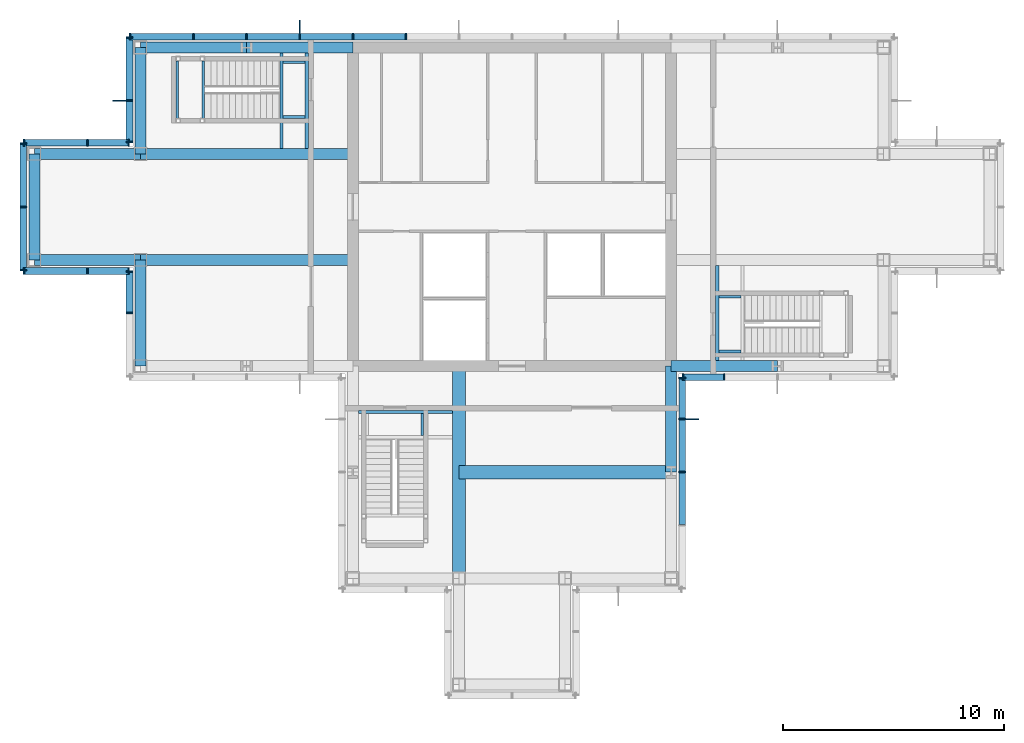
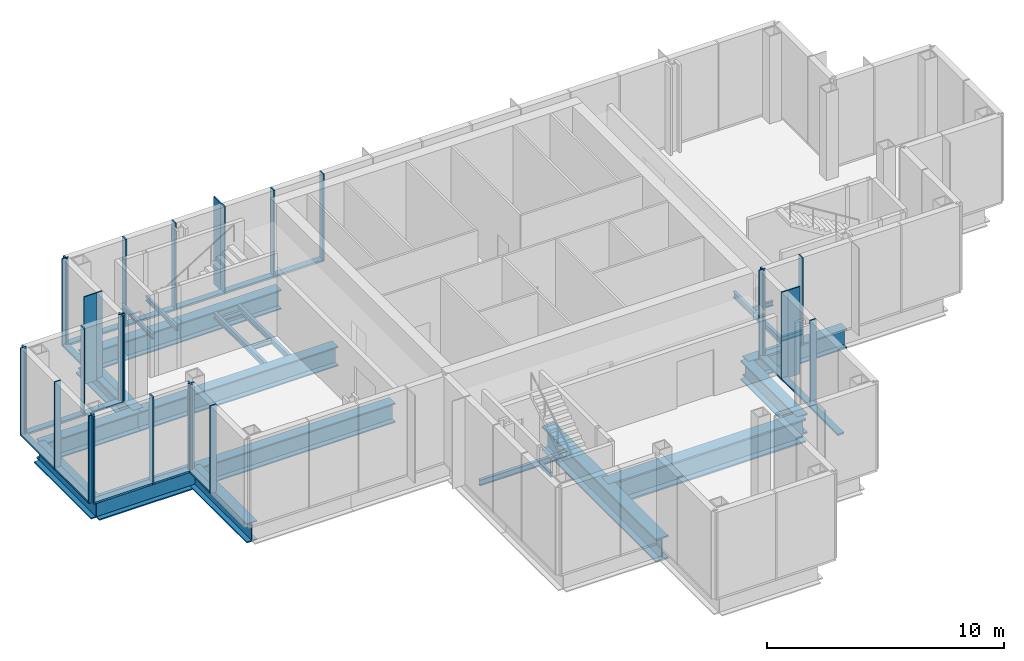
# One storey, part 6 of 12: 46 members, 24 beams, 8 elements without a shape of their own.
"""IFC4 building model written with IfcOpenShell, lengths in metres."""

from ifc_helpers import new_model, si_unit, direction, frame, origin, origin_2d, place, context, subcontext, project, spatial, rectangle, i_section, extrude, material, material_profile, profile_set, type_object, element, aggregate, save


model = new_model("IFC4")

# Units and contexts
model_context = context("Model", 3, precision=1e-05, world=origin(), true_north=direction((0.0, 1.0)))
body_context = subcontext(model_context, "Body", "Model", "MODEL_VIEW")
ifc_project = project(units=[si_unit("LENGTHUNIT", "METRE"), si_unit("AREAUNIT", "SQUARE_METRE"), si_unit("VOLUMEUNIT", "CUBIC_METRE"), si_unit("PLANEANGLEUNIT", "RADIAN"), si_unit("MASSUNIT", "GRAM", prefix="KILO")], contexts=[model_context])

# Site, building, storey
site_placement = place(None, origin())
site = spatial("IfcSite", under=ifc_project, at=site_placement, CompositionType="ELEMENT")
building_placement = place(site_placement, origin())
building = spatial("IfcBuilding", under=site, at=building_placement, Name="Kvirike Care Tower", CompositionType="ELEMENT")
storey_placement = place(building_placement, frame((0.0, 0.0, 243.5)))
storey = spatial("IfcBuildingStorey", under=building, at=storey_placement, Name="L67", CompositionType="ELEMENT", Elevation=243.5)

# Curtain wall, member
ifc_material_1 = material(Name="Anodised aluminium stick system", Category="aluminium")
curtain_wall_type = type_object("IfcCurtainWallType", Name="CW-L LOUVRED PLANT SCREEN", PredefinedType="NOTDEFINED", material=ifc_material_1)
curtain_wall_1_placement = place(storey_placement, origin())
curtain_wall_1 = element("IfcCurtainWall", 1, at=curtain_wall_1_placement, inside=storey, type_object=curtain_wall_type, Name="Curtain wall L67 face 7", PredefinedType="NOTDEFINED")
ifc_material_2 = material(Name="Bronze anodised aluminium fin", Category="aluminium")
ifc_material_profile_1 = material_profile(ifc_material_2, rectangle(XDim=0.050048828125, YDim=0.60009765625, at=origin_2d()), Name="BRONZE FIN 600")
ifc_profile_set_1 = profile_set([ifc_material_profile_1], Name="Bronze anodised aluminium fin")
member_type_1 = type_object("IfcMemberType", Name="BRONZE FIN 600", PredefinedType="USERDEFINED", material=ifc_profile_set_1)
member_1_placement = place(storey_placement, frame((12.0, 44.14990234375, 0.0), z_axis=(0.0, 0.0, 1.0), x_axis=(-1.0, 0.0, 0.0)))
member_1 = element("IfcMember", 2, at=member_1_placement, type_object=member_type_1, Name="Bronze fin L67 face 7.12", ObjectType="FIN", PredefinedType="USERDEFINED", context=body_context, shape_type="SweptSolid", body=[
    extrude(rectangle(XDim=0.050048828125, YDim=0.60009765625, at=origin_2d()), origin(), (0.0, 0.0, 1.0), 4.5),
])

curtain_wall_2_placement = place(storey_placement, origin())
curtain_wall_2 = element("IfcCurtainWall", 3, at=curtain_wall_2_placement, inside=storey, type_object=curtain_wall_type, Name="Curtain wall L67 face 8", PredefinedType="NOTDEFINED")
member_2_placement = place(storey_placement, frame((3.85009765625, 40.800048828125, 0.0), z_axis=(0.0, 0.0, 1.0), x_axis=(0.0, -1.0, 0.0)))
member_2 = element("IfcMember", 4, at=member_2_placement, type_object=member_type_1, Name="Bronze fin L67 face 8.2", ObjectType="FIN", PredefinedType="USERDEFINED", context=body_context, shape_type="SweptSolid", body=[
    extrude(rectangle(XDim=0.050048828125, YDim=0.60009765625, at=origin_2d()), origin(), (0.0, 0.0, 1.0), 4.5),
])

curtain_wall_3_placement = place(storey_placement, origin())
curtain_wall_3 = element("IfcCurtainWall", 5, at=curtain_wall_3_placement, inside=storey, type_object=curtain_wall_type, Name="Curtain wall L67 face 20", PredefinedType="NOTDEFINED")
member_3_placement = place(storey_placement, frame((29.75, 26.39990234375, 0.0), z_axis=(0.0, 0.0, 1.0), x_axis=(0.0, 1.0, 0.0)))
member_3 = element("IfcMember", 6, at=member_3_placement, type_object=member_type_1, Name="Bronze fin L67 face 20.4", ObjectType="FIN", PredefinedType="USERDEFINED", context=body_context, shape_type="SweptSolid", body=[
    extrude(rectangle(XDim=0.050048828125, YDim=0.60009765625, at=origin_2d()), origin(), (0.0, 0.0, 1.0), 4.5),
])

# Curtain wall, members
curtain_wall_4_placement = place(storey_placement, origin())
curtain_wall_4 = element("IfcCurtainWall", 7, at=curtain_wall_4_placement, inside=storey, type_object=curtain_wall_type, Name="Curtain wall L67 face 1", PredefinedType="NOTDEFINED")
ifc_material_3 = material(Name="Bronze anodised aluminium mullion", Category="aluminium")
ifc_material_profile_2 = material_profile(ifc_material_3, rectangle(XDim=0.06494140625, YDim=0.300048828125, at=origin_2d()), Name="CW-L MULLION 65x300")
ifc_profile_set_2 = profile_set([ifc_material_profile_2], Name="Bronze anodised aluminium mullion")
member_type_2 = type_object("IfcMemberType", Name="CW-L MULLION 65x300", PredefinedType="MULLION", material=ifc_profile_set_2)
member_4_placement = place(storey_placement, frame((29.33251953125, 28.300048828125, 0.0), z_axis=(0.0, 0.0, 1.0), x_axis=(1.0, 0.0, 0.0)))
member_4 = element("IfcMember", 8, at=member_4_placement, type_object=member_type_2, Name="CW-L mullion L67 face 1.1", PredefinedType="MULLION", context=body_context, shape_type="SweptSolid", body=[
    extrude(rectangle(XDim=0.06494140625, YDim=0.300048828125, at=origin_2d()), origin(), (0.0, 0.0, 1.0), 4.5),
])
member_5_placement = place(storey_placement, frame((31.199951171875, 28.300048828125, 0.0), z_axis=(0.0, 0.0, 1.0), x_axis=(1.0, 0.0, 0.0)))
member_5 = element("IfcMember", 9, at=member_5_placement, type_object=member_type_2, Name="CW-L mullion L67 face 1.2", PredefinedType="MULLION", context=body_context, shape_type="SweptSolid", body=[
    extrude(rectangle(XDim=0.06494140625, YDim=0.300048828125, at=origin_2d()), origin(), (0.0, 0.0, 1.0), 4.5),
])

# Member
member_6_placement = place(storey_placement, frame((16.800048828125, 43.699951171875, 0.0), z_axis=(0.0, 0.0, 1.0), x_axis=(-1.0, 0.0, 0.0)))
member_6 = element("IfcMember", 10, at=member_6_placement, type_object=member_type_2, Name="CW-L mullion L67 face 7.10", PredefinedType="MULLION", context=body_context, shape_type="SweptSolid", body=[
    extrude(rectangle(XDim=0.06494140625, YDim=0.300048828125, at=origin_2d()), origin(), (0.0, 0.0, 1.0), 4.5),
])

member_7_placement = place(storey_placement, frame((14.39990234375, 43.699951171875, 0.0), z_axis=(0.0, 0.0, 1.0), x_axis=(-1.0, 0.0, 0.0)))
member_7 = element("IfcMember", 11, at=member_7_placement, type_object=member_type_2, Name="CW-L mullion L67 face 7.11", PredefinedType="MULLION", context=body_context, shape_type="SweptSolid", body=[
    extrude(rectangle(XDim=0.06494140625, YDim=0.300048828125, at=origin_2d()), origin(), (0.0, 0.0, 1.0), 4.5),
])

member_8_placement = place(storey_placement, frame((12.0, 43.699951171875, 0.0), z_axis=(0.0, 0.0, 1.0), x_axis=(-1.0, 0.0, 0.0)))
member_8 = element("IfcMember", 12, at=member_8_placement, type_object=member_type_2, Name="CW-L mullion L67 face 7.12", PredefinedType="MULLION", context=body_context, shape_type="SweptSolid", body=[
    extrude(rectangle(XDim=0.06494140625, YDim=0.300048828125, at=origin_2d()), origin(), (0.0, 0.0, 1.0), 4.5),
])

member_9_placement = place(storey_placement, frame((9.60009765625, 43.699951171875, 0.0), z_axis=(0.0, 0.0, 1.0), x_axis=(-1.0, 0.0, 0.0)))
member_9 = element("IfcMember", 13, at=member_9_placement, type_object=member_type_2, Name="CW-L mullion L67 face 7.13", PredefinedType="MULLION", context=body_context, shape_type="SweptSolid", body=[
    extrude(rectangle(XDim=0.06494140625, YDim=0.300048828125, at=origin_2d()), origin(), (0.0, 0.0, 1.0), 4.5),
])

member_10_placement = place(storey_placement, frame((7.199951171875, 43.699951171875, 0.0), z_axis=(0.0, 0.0, 1.0), x_axis=(-1.0, 0.0, 0.0)))
member_10 = element("IfcMember", 14, at=member_10_placement, type_object=member_type_2, Name="CW-L mullion L67 face 7.14", PredefinedType="MULLION", context=body_context, shape_type="SweptSolid", body=[
    extrude(rectangle(XDim=0.06494140625, YDim=0.300048828125, at=origin_2d()), origin(), (0.0, 0.0, 1.0), 4.5),
])

member_11_placement = place(storey_placement, frame((4.33251953125, 43.699951171875, 0.0), z_axis=(0.0, 0.0, 1.0), x_axis=(-1.0, 0.0, 0.0)))
member_11 = element("IfcMember", 15, at=member_11_placement, type_object=member_type_2, Name="CW-L mullion L67 face 7.15", PredefinedType="MULLION", context=body_context, shape_type="SweptSolid", body=[
    extrude(rectangle(XDim=0.06494140625, YDim=0.300048828125, at=origin_2d()), origin(), (0.0, 0.0, 1.0), 4.5),
])

member_12_placement = place(storey_placement, frame((4.300048828125, 43.66748046875, 0.0), z_axis=(0.0, 0.0, 1.0), x_axis=(0.0, -1.0, 0.0)))
member_12 = element("IfcMember", 16, at=member_12_placement, type_object=member_type_2, Name="CW-L mullion L67 face 8.1", PredefinedType="MULLION", context=body_context, shape_type="SweptSolid", body=[
    extrude(rectangle(XDim=0.06494140625, YDim=0.300048828125, at=origin_2d()), origin(), (0.0, 0.0, 1.0), 4.5),
])

member_13_placement = place(storey_placement, frame((4.300048828125, 40.800048828125, 0.0), z_axis=(0.0, 0.0, 1.0), x_axis=(0.0, -1.0, 0.0)))
member_13 = element("IfcMember", 17, at=member_13_placement, type_object=member_type_2, Name="CW-L mullion L67 face 8.2", PredefinedType="MULLION", context=body_context, shape_type="SweptSolid", body=[
    extrude(rectangle(XDim=0.06494140625, YDim=0.300048828125, at=origin_2d()), origin(), (0.0, 0.0, 1.0), 4.5),
])

member_14_placement = place(storey_placement, frame((4.300048828125, 38.9326171875, 0.0), z_axis=(0.0, 0.0, 1.0), x_axis=(0.0, -1.0, 0.0)))
member_14 = element("IfcMember", 18, at=member_14_placement, type_object=member_type_2, Name="CW-L mullion L67 face 8.3", PredefinedType="MULLION", context=body_context, shape_type="SweptSolid", body=[
    extrude(rectangle(XDim=0.06494140625, YDim=0.300048828125, at=origin_2d()), origin(), (0.0, 0.0, 1.0), 4.5),
])

# Curtain wall, members
curtain_wall_5_placement = place(storey_placement, origin())
curtain_wall_5 = element("IfcCurtainWall", 19, at=curtain_wall_5_placement, inside=storey, type_object=curtain_wall_type, Name="Curtain wall L67 face 9", PredefinedType="NOTDEFINED")
member_15_placement = place(storey_placement, frame((4.267578125, 38.89990234375, 0.0), z_axis=(0.0, 0.0, 1.0), x_axis=(-1.0, 0.0, 0.0)))
member_15 = element("IfcMember", 20, at=member_15_placement, type_object=member_type_2, Name="CW-L mullion L67 face 9.1", PredefinedType="MULLION", context=body_context, shape_type="SweptSolid", body=[
    extrude(rectangle(XDim=0.06494140625, YDim=0.300048828125, at=origin_2d()), origin(), (0.0, 0.0, 1.0), 4.5),
])
member_16_placement = place(storey_placement, frame((2.39990234375, 38.89990234375, 0.0), z_axis=(0.0, 0.0, 1.0), x_axis=(-1.0, 0.0, 0.0)))
member_16 = element("IfcMember", 21, at=member_16_placement, type_object=member_type_2, Name="CW-L mullion L67 face 9.2", PredefinedType="MULLION", context=body_context, shape_type="SweptSolid", body=[
    extrude(rectangle(XDim=0.06494140625, YDim=0.300048828125, at=origin_2d()), origin(), (0.0, 0.0, 1.0), 4.5),
])
member_17_placement = place(storey_placement, frame((-0.467529296875, 38.89990234375, 0.0), z_axis=(0.0, 0.0, 1.0), x_axis=(-1.0, 0.0, 0.0)))
member_17 = element("IfcMember", 22, at=member_17_placement, type_object=member_type_2, Name="CW-L mullion L67 face 9.3", PredefinedType="MULLION", context=body_context, shape_type="SweptSolid", body=[
    extrude(rectangle(XDim=0.06494140625, YDim=0.300048828125, at=origin_2d()), origin(), (0.0, 0.0, 1.0), 4.5),
])

curtain_wall_6_placement = place(storey_placement, origin())
curtain_wall_6 = element("IfcCurtainWall", 23, at=curtain_wall_6_placement, inside=storey, type_object=curtain_wall_type, Name="Curtain wall L67 face 10", PredefinedType="NOTDEFINED")
member_18_placement = place(storey_placement, frame((-0.5, 38.867431640625, 0.0), z_axis=(0.0, 0.0, 1.0), x_axis=(0.0, -1.0, 0.0)))
member_18 = element("IfcMember", 24, at=member_18_placement, type_object=member_type_2, Name="CW-L mullion L67 face 10.1", PredefinedType="MULLION", context=body_context, shape_type="SweptSolid", body=[
    extrude(rectangle(XDim=0.06494140625, YDim=0.300048828125, at=origin_2d()), origin(), (0.0, 0.0, 1.0), 4.5),
])
member_19_placement = place(storey_placement, frame((-0.5, 36.0, 0.0), z_axis=(0.0, 0.0, 1.0), x_axis=(0.0, -1.0, 0.0)))
member_19 = element("IfcMember", 25, at=member_19_placement, type_object=member_type_2, Name="CW-L mullion L67 face 10.2", PredefinedType="MULLION", context=body_context, shape_type="SweptSolid", body=[
    extrude(rectangle(XDim=0.06494140625, YDim=0.300048828125, at=origin_2d()), origin(), (0.0, 0.0, 1.0), 4.5),
])
member_20_placement = place(storey_placement, frame((-0.5, 33.132568359375, 0.0), z_axis=(0.0, 0.0, 1.0), x_axis=(0.0, -1.0, 0.0)))
member_20 = element("IfcMember", 26, at=member_20_placement, type_object=member_type_2, Name="CW-L mullion L67 face 10.3", PredefinedType="MULLION", context=body_context, shape_type="SweptSolid", body=[
    extrude(rectangle(XDim=0.06494140625, YDim=0.300048828125, at=origin_2d()), origin(), (0.0, 0.0, 1.0), 4.5),
])

curtain_wall_7_placement = place(storey_placement, origin())
curtain_wall_7 = element("IfcCurtainWall", 27, at=curtain_wall_7_placement, inside=storey, type_object=curtain_wall_type, Name="Curtain wall L67 face 11", PredefinedType="NOTDEFINED")
member_21_placement = place(storey_placement, frame((-0.467529296875, 33.10009765625, 0.0), z_axis=(0.0, 0.0, 1.0), x_axis=(1.0, 0.0, 0.0)))
member_21 = element("IfcMember", 28, at=member_21_placement, type_object=member_type_2, Name="CW-L mullion L67 face 11.1", PredefinedType="MULLION", context=body_context, shape_type="SweptSolid", body=[
    extrude(rectangle(XDim=0.06494140625, YDim=0.300048828125, at=origin_2d()), origin(), (0.0, 0.0, 1.0), 4.5),
])
member_22_placement = place(storey_placement, frame((2.39990234375, 33.10009765625, 0.0), z_axis=(0.0, 0.0, 1.0), x_axis=(1.0, 0.0, 0.0)))
member_22 = element("IfcMember", 29, at=member_22_placement, type_object=member_type_2, Name="CW-L mullion L67 face 11.2", PredefinedType="MULLION", context=body_context, shape_type="SweptSolid", body=[
    extrude(rectangle(XDim=0.06494140625, YDim=0.300048828125, at=origin_2d()), origin(), (0.0, 0.0, 1.0), 4.5),
])
member_23_placement = place(storey_placement, frame((4.267578125, 33.10009765625, 0.0), z_axis=(0.0, 0.0, 1.0), x_axis=(1.0, 0.0, 0.0)))
member_23 = element("IfcMember", 30, at=member_23_placement, type_object=member_type_2, Name="CW-L mullion L67 face 11.3", PredefinedType="MULLION", context=body_context, shape_type="SweptSolid", body=[
    extrude(rectangle(XDim=0.06494140625, YDim=0.300048828125, at=origin_2d()), origin(), (0.0, 0.0, 1.0), 4.5),
])

curtain_wall_8_placement = place(storey_placement, origin())
curtain_wall_8 = element("IfcCurtainWall", 31, at=curtain_wall_8_placement, inside=storey, type_object=curtain_wall_type, Name="Curtain wall L67 face 12", PredefinedType="NOTDEFINED")
member_24_placement = place(storey_placement, frame((4.300048828125, 33.0673828125, 0.0), z_axis=(0.0, 0.0, 1.0), x_axis=(0.0, -1.0, 0.0)))
member_24 = element("IfcMember", 32, at=member_24_placement, type_object=member_type_2, Name="CW-L mullion L67 face 12.1", PredefinedType="MULLION", context=body_context, shape_type="SweptSolid", body=[
    extrude(rectangle(XDim=0.06494140625, YDim=0.300048828125, at=origin_2d()), origin(), (0.0, 0.0, 1.0), 4.5),
])
member_25_placement = place(storey_placement, frame((4.300048828125, 31.199951171875, 0.0), z_axis=(0.0, 0.0, 1.0), x_axis=(0.0, -1.0, 0.0)))
member_25 = element("IfcMember", 33, at=member_25_placement, type_object=member_type_2, Name="CW-L mullion L67 face 12.2", PredefinedType="MULLION", context=body_context, shape_type="SweptSolid", body=[
    extrude(rectangle(XDim=0.06494140625, YDim=0.300048828125, at=origin_2d()), origin(), (0.0, 0.0, 1.0), 4.5),
])

# Member
member_26_placement = place(storey_placement, frame((29.300048828125, 24.0, 0.0), z_axis=(0.0, 0.0, 1.0), x_axis=(0.0, 1.0, 0.0)))
member_26 = element("IfcMember", 34, at=member_26_placement, type_object=member_type_2, Name="CW-L mullion L67 face 20.3", PredefinedType="MULLION", context=body_context, shape_type="SweptSolid", body=[
    extrude(rectangle(XDim=0.06494140625, YDim=0.300048828125, at=origin_2d()), origin(), (0.0, 0.0, 1.0), 4.5),
])

member_27_placement = place(storey_placement, frame((29.300048828125, 26.39990234375, 0.0), z_axis=(0.0, 0.0, 1.0), x_axis=(0.0, 1.0, 0.0)))
member_27 = element("IfcMember", 35, at=member_27_placement, type_object=member_type_2, Name="CW-L mullion L67 face 20.4", PredefinedType="MULLION", context=body_context, shape_type="SweptSolid", body=[
    extrude(rectangle(XDim=0.06494140625, YDim=0.300048828125, at=origin_2d()), origin(), (0.0, 0.0, 1.0), 4.5),
])

member_28_placement = place(storey_placement, frame((29.300048828125, 28.267578125, 0.0), z_axis=(0.0, 0.0, 1.0), x_axis=(0.0, 1.0, 0.0)))
member_28 = element("IfcMember", 36, at=member_28_placement, type_object=member_type_2, Name="CW-L mullion L67 face 20.5", PredefinedType="MULLION", context=body_context, shape_type="SweptSolid", body=[
    extrude(rectangle(XDim=0.06494140625, YDim=0.300048828125, at=origin_2d()), origin(), (0.0, 0.0, 1.0), 4.5),
])

ifc_material_4 = material(Name="Bronze anodised aluminium transom", Category="aluminium")
ifc_material_profile_3 = material_profile(ifc_material_4, rectangle(XDim=0.300048828125, YDim=0.10009765625, at=origin_2d()), Name="CW-L TRANSOM 300x100")
ifc_profile_set_3 = profile_set([ifc_material_profile_3], Name="Bronze anodised aluminium transom")
member_type_3 = type_object("IfcMemberType", Name="CW-L TRANSOM 300x100", PredefinedType="USERDEFINED", material=ifc_profile_set_3)
member_29_placement = place(storey_placement, frame((29.364990234375, 28.300048828125, 0.050048828125), z_axis=(1.0, 0.0, 0.0), x_axis=(0.0, 1.0, 0.0)))
member_29 = element("IfcMember", 37, at=member_29_placement, type_object=member_type_3, Name="CW-L sill transom L67 face 1.1", ObjectType="TRANSOM", PredefinedType="USERDEFINED", context=body_context, shape_type="SweptSolid", body=[
    extrude(rectangle(XDim=0.300048828125, YDim=0.10009765625, at=origin_2d()), origin(), (0.0, 0.0, 1.0), 1.802490234375),
])

aggregate(curtain_wall_4, [member_4, member_5, member_29])

member_30_placement = place(storey_placement, frame((16.767578125, 43.699951171875, 0.050048828125), z_axis=(-1.0, 0.0, 0.0), x_axis=(0.0, -1.0, 0.0)))
member_30 = element("IfcMember", 38, at=member_30_placement, type_object=member_type_3, Name="CW-L sill transom L67 face 7.10", ObjectType="TRANSOM", PredefinedType="USERDEFINED", context=body_context, shape_type="SweptSolid", body=[
    extrude(rectangle(XDim=0.300048828125, YDim=0.10009765625, at=origin_2d()), origin(), (0.0, 0.0, 1.0), 2.3349609375),
])

member_31_placement = place(storey_placement, frame((14.367431640625, 43.699951171875, 0.050048828125), z_axis=(-1.0, 0.0, 0.0), x_axis=(0.0, -1.0, 0.0)))
member_31 = element("IfcMember", 39, at=member_31_placement, type_object=member_type_3, Name="CW-L sill transom L67 face 7.11", ObjectType="TRANSOM", PredefinedType="USERDEFINED", context=body_context, shape_type="SweptSolid", body=[
    extrude(rectangle(XDim=0.300048828125, YDim=0.10009765625, at=origin_2d()), origin(), (0.0, 0.0, 1.0), 2.3349609375),
])

member_32_placement = place(storey_placement, frame((11.967529296875, 43.699951171875, 0.050048828125), z_axis=(-1.0, 0.0, 0.0), x_axis=(0.0, -1.0, 0.0)))
member_32 = element("IfcMember", 40, at=member_32_placement, type_object=member_type_3, Name="CW-L sill transom L67 face 7.12", ObjectType="TRANSOM", PredefinedType="USERDEFINED", context=body_context, shape_type="SweptSolid", body=[
    extrude(rectangle(XDim=0.300048828125, YDim=0.10009765625, at=origin_2d()), origin(), (0.0, 0.0, 1.0), 2.3349609375),
])

member_33_placement = place(storey_placement, frame((9.5673828125, 43.699951171875, 0.050048828125), z_axis=(-1.0, 0.0, 0.0), x_axis=(0.0, -1.0, 0.0)))
member_33 = element("IfcMember", 41, at=member_33_placement, type_object=member_type_3, Name="CW-L sill transom L67 face 7.13", ObjectType="TRANSOM", PredefinedType="USERDEFINED", context=body_context, shape_type="SweptSolid", body=[
    extrude(rectangle(XDim=0.300048828125, YDim=0.10009765625, at=origin_2d()), origin(), (0.0, 0.0, 1.0), 2.3349609375),
])

member_34_placement = place(storey_placement, frame((7.16748046875, 43.699951171875, 0.050048828125), z_axis=(-1.0, 0.0, 0.0), x_axis=(0.0, -1.0, 0.0)))
member_34 = element("IfcMember", 42, at=member_34_placement, type_object=member_type_3, Name="CW-L sill transom L67 face 7.14", ObjectType="TRANSOM", PredefinedType="USERDEFINED", context=body_context, shape_type="SweptSolid", body=[
    extrude(rectangle(XDim=0.300048828125, YDim=0.10009765625, at=origin_2d()), origin(), (0.0, 0.0, 1.0), 2.802490234375),
])

aggregate(curtain_wall_1, [member_6, member_7, member_8, member_1, member_9, member_10, member_11, member_30, member_31, member_32, member_33, member_34])

member_35_placement = place(storey_placement, frame((4.300048828125, 43.635009765625, 0.050048828125), z_axis=(0.0, -1.0, 0.0), x_axis=(1.0, 0.0, 0.0)))
member_35 = element("IfcMember", 43, at=member_35_placement, type_object=member_type_3, Name="CW-L sill transom L67 face 8.1", ObjectType="TRANSOM", PredefinedType="USERDEFINED", context=body_context, shape_type="SweptSolid", body=[
    extrude(rectangle(XDim=0.300048828125, YDim=0.10009765625, at=origin_2d()), origin(), (0.0, 0.0, 1.0), 2.802490234375),
])

member_36_placement = place(storey_placement, frame((4.300048828125, 40.767578125, 0.050048828125), z_axis=(0.0, -1.0, 0.0), x_axis=(1.0, 0.0, 0.0)))
member_36 = element("IfcMember", 44, at=member_36_placement, type_object=member_type_3, Name="CW-L sill transom L67 face 8.2", ObjectType="TRANSOM", PredefinedType="USERDEFINED", context=body_context, shape_type="SweptSolid", body=[
    extrude(rectangle(XDim=0.300048828125, YDim=0.10009765625, at=origin_2d()), origin(), (0.0, 0.0, 1.0), 1.802490234375),
])

aggregate(curtain_wall_2, [member_12, member_13, member_2, member_14, member_35, member_36])

member_37_placement = place(storey_placement, frame((4.235107421875, 38.89990234375, 0.050048828125), z_axis=(-1.0, 0.0, 0.0), x_axis=(0.0, -1.0, 0.0)))
member_37 = element("IfcMember", 45, at=member_37_placement, type_object=member_type_3, Name="CW-L sill transom L67 face 9.1", ObjectType="TRANSOM", PredefinedType="USERDEFINED", context=body_context, shape_type="SweptSolid", body=[
    extrude(rectangle(XDim=0.300048828125, YDim=0.10009765625, at=origin_2d()), origin(), (0.0, 0.0, 1.0), 1.802490234375),
])

member_38_placement = place(storey_placement, frame((2.367431640625, 38.89990234375, 0.050048828125), z_axis=(-1.0, 0.0, 0.0), x_axis=(0.0, -1.0, 0.0)))
member_38 = element("IfcMember", 46, at=member_38_placement, type_object=member_type_3, Name="CW-L sill transom L67 face 9.2", ObjectType="TRANSOM", PredefinedType="USERDEFINED", context=body_context, shape_type="SweptSolid", body=[
    extrude(rectangle(XDim=0.300048828125, YDim=0.10009765625, at=origin_2d()), origin(), (0.0, 0.0, 1.0), 2.802490234375),
])

aggregate(curtain_wall_5, [member_15, member_16, member_17, member_37, member_38])

member_39_placement = place(storey_placement, frame((-0.5, 38.8349609375, 0.050048828125), z_axis=(0.0, -1.0, 0.0), x_axis=(1.0, 0.0, 0.0)))
member_39 = element("IfcMember", 47, at=member_39_placement, type_object=member_type_3, Name="CW-L sill transom L67 face 10.1", ObjectType="TRANSOM", PredefinedType="USERDEFINED", context=body_context, shape_type="SweptSolid", body=[
    extrude(rectangle(XDim=0.300048828125, YDim=0.10009765625, at=origin_2d()), origin(), (0.0, 0.0, 1.0), 2.802490234375),
])

member_40_placement = place(storey_placement, frame((-0.5, 35.967529296875, 0.050048828125), z_axis=(0.0, -1.0, 0.0), x_axis=(1.0, 0.0, 0.0)))
member_40 = element("IfcMember", 48, at=member_40_placement, type_object=member_type_3, Name="CW-L sill transom L67 face 10.2", ObjectType="TRANSOM", PredefinedType="USERDEFINED", context=body_context, shape_type="SweptSolid", body=[
    extrude(rectangle(XDim=0.300048828125, YDim=0.10009765625, at=origin_2d()), origin(), (0.0, 0.0, 1.0), 2.802490234375),
])

aggregate(curtain_wall_6, [member_18, member_19, member_20, member_39, member_40])

member_41_placement = place(storey_placement, frame((-0.43505859375, 33.10009765625, 0.050048828125), z_axis=(1.0, 0.0, 0.0), x_axis=(0.0, 1.0, 0.0)))
member_41 = element("IfcMember", 49, at=member_41_placement, type_object=member_type_3, Name="CW-L sill transom L67 face 11.1", ObjectType="TRANSOM", PredefinedType="USERDEFINED", context=body_context, shape_type="SweptSolid", body=[
    extrude(rectangle(XDim=0.300048828125, YDim=0.10009765625, at=origin_2d()), origin(), (0.0, 0.0, 1.0), 2.802490234375),
])

member_42_placement = place(storey_placement, frame((2.4326171875, 33.10009765625, 0.050048828125), z_axis=(1.0, 0.0, 0.0), x_axis=(0.0, 1.0, 0.0)))
member_42 = element("IfcMember", 50, at=member_42_placement, type_object=member_type_3, Name="CW-L sill transom L67 face 11.2", ObjectType="TRANSOM", PredefinedType="USERDEFINED", context=body_context, shape_type="SweptSolid", body=[
    extrude(rectangle(XDim=0.300048828125, YDim=0.10009765625, at=origin_2d()), origin(), (0.0, 0.0, 1.0), 1.802490234375),
])

aggregate(curtain_wall_7, [member_21, member_22, member_23, member_41, member_42])

member_43_placement = place(storey_placement, frame((4.300048828125, 33.034912109375, 0.050048828125), z_axis=(0.0, -1.0, 0.0), x_axis=(1.0, 0.0, 0.0)))
member_43 = element("IfcMember", 51, at=member_43_placement, type_object=member_type_3, Name="CW-L sill transom L67 face 12.1", ObjectType="TRANSOM", PredefinedType="USERDEFINED", context=body_context, shape_type="SweptSolid", body=[
    extrude(rectangle(XDim=0.300048828125, YDim=0.10009765625, at=origin_2d()), origin(), (0.0, 0.0, 1.0), 1.802490234375),
])

aggregate(curtain_wall_8, [member_24, member_25, member_43])

member_44_placement = place(storey_placement, frame((29.300048828125, 21.632568359375, 0.050048828125), z_axis=(0.0, 1.0, 0.0), x_axis=(-1.0, 0.0, 0.0)))
member_44 = element("IfcMember", 52, at=member_44_placement, type_object=member_type_3, Name="CW-L sill transom L67 face 20.2", ObjectType="TRANSOM", PredefinedType="USERDEFINED", context=body_context, shape_type="SweptSolid", body=[
    extrude(rectangle(XDim=0.300048828125, YDim=0.10009765625, at=origin_2d()), origin(), (0.0, 0.0, 1.0), 2.3349609375),
])

member_45_placement = place(storey_placement, frame((29.300048828125, 24.032470703125, 0.050048828125), z_axis=(0.0, 1.0, 0.0), x_axis=(-1.0, 0.0, 0.0)))
member_45 = element("IfcMember", 53, at=member_45_placement, type_object=member_type_3, Name="CW-L sill transom L67 face 20.3", ObjectType="TRANSOM", PredefinedType="USERDEFINED", context=body_context, shape_type="SweptSolid", body=[
    extrude(rectangle(XDim=0.300048828125, YDim=0.10009765625, at=origin_2d()), origin(), (0.0, 0.0, 1.0), 2.3349609375),
])

member_46_placement = place(storey_placement, frame((29.300048828125, 26.4326171875, 0.050048828125), z_axis=(0.0, 1.0, 0.0), x_axis=(-1.0, 0.0, 0.0)))
member_46 = element("IfcMember", 54, at=member_46_placement, type_object=member_type_3, Name="CW-L sill transom L67 face 20.4", ObjectType="TRANSOM", PredefinedType="USERDEFINED", context=body_context, shape_type="SweptSolid", body=[
    extrude(rectangle(XDim=0.300048828125, YDim=0.10009765625, at=origin_2d()), origin(), (0.0, 0.0, 1.0), 1.802490234375),
])

aggregate(curtain_wall_3, [member_26, member_27, member_3, member_28, member_44, member_45, member_46])

# Beams
ifc_material_5 = material(Name="Steel S355", Category="steel")
ifc_material_profile_4 = material_profile(ifc_material_5, i_section(OverallWidth=0.5, OverallDepth=1.0, WebThickness=0.030029296875, FlangeThickness=0.06005859375, at=origin_2d()), Name="PG 1000x500x30x60")
ifc_profile_set_4 = profile_set([ifc_material_profile_4], Name="Steel S355")
beam_type_1 = type_object("IfcBeamType", Name="PLANT FLOOR GIRDER PG 1000x500x30x60", PredefinedType="BEAM", material=ifc_profile_set_4)
for number, where, z_axis, x_axis, name in (
    (55, (4.800048828125, 33.60009765625, -0.75), (1.0, 0.0, 0.0), (0.0, 1.0, 0.0), "Plant Floor Girder H4-H6 L67"),
    (56, (4.800048828125, 38.39990234375, -0.75), (1.0, 0.0, 0.0), (0.0, 1.0, 0.0), "Plant Floor Girder J4-J6 L67"),
):
    element("IfcBeam", number, at=place(storey_placement, frame(where, z_axis=z_axis, x_axis=x_axis)), inside=storey, type_object=beam_type_1, Name=name, PredefinedType="BEAM", context=body_context, shape_type="SweptSolid", body=[
        extrude(i_section(OverallWidth=0.5, OverallDepth=1.0, WebThickness=0.030029296875, FlangeThickness=0.06005859375, at=origin_2d()), origin(), (0.0, 0.0, 1.0), 9.599853515625),
    ])
ifc_material_6 = material(Name="Steel S355", Category="steel")
ifc_material_profile_5 = material_profile(ifc_material_6, i_section(OverallWidth=0.60009765625, OverallDepth=1.199951171875, WebThickness=0.0400390625, FlangeThickness=0.080078125, at=origin_2d()), Name="PG 1200x600x40x80")
ifc_profile_set_5 = profile_set([ifc_material_profile_5], Name="Steel S355")
beam_type_2 = type_object("IfcBeamType", Name="PLANT FLOOR GIRDER PG 1200x600x40x80", PredefinedType="BEAM", material=ifc_profile_set_5)
for number, where, z_axis, x_axis, name in (
    (57, (19.199951171875, 24.0, -0.85009765625), (1.0, 0.0, 0.0), (0.0, 1.0, 0.0), "Plant Floor Girder F7-F9 L67"),
    (58, (19.199951171875, 19.199951171875, -0.85009765625), (0.0, 1.0, 0.0), (-1.0, 0.0, 0.0), "Plant Floor Girder E7-G7 L67"),
):
    element("IfcBeam", number, at=place(storey_placement, frame(where, z_axis=z_axis, x_axis=x_axis)), inside=storey, type_object=beam_type_2, Name=name, PredefinedType="BEAM", context=body_context, shape_type="SweptSolid", body=[
        extrude(i_section(OverallWidth=0.60009765625, OverallDepth=1.199951171875, WebThickness=0.0400390625, FlangeThickness=0.080078125, at=origin_2d()), origin(), (0.0, 0.0, 1.0), 9.60009765625),
    ])
ifc_material_7 = material(Name="Steel S355", Category="steel")
ifc_material_profile_6 = material_profile(ifc_material_7, i_section(OverallWidth=0.5, OverallDepth=1.0, WebThickness=0.030029296875, FlangeThickness=0.06005859375, at=origin_2d()), Name="PG 1000x500x30x60")
ifc_profile_set_6 = profile_set([ifc_material_profile_6], Name="Steel S355")
beam_type_3 = type_object("IfcBeamType", Name="SPANDREL PG 1000x500x30x60", PredefinedType="SPANDREL", material=ifc_profile_set_6)
for number, where, z_axis, x_axis, name in (
    (59, (28.800048828125, 28.800048828125, -0.75), (1.0, 0.0, 0.0), (0.0, 1.0, 0.0), "Spandrel G9-G10 L67"),
    (60, (0.0, 33.60009765625, -0.75), (1.0, 0.0, 0.0), (0.0, 1.0, 0.0), "Spandrel H3-H4 L67"),
    (61, (0.0, 38.39990234375, -0.75), (1.0, 0.0, 0.0), (0.0, 1.0, 0.0), "Spandrel J3-J4 L67"),
    (62, (4.800048828125, 43.199951171875, -0.75), (1.0, 0.0, 0.0), (0.0, 1.0, 0.0), "Spandrel K4-K5 L67"),
):
    element("IfcBeam", number, at=place(storey_placement, frame(where, z_axis=z_axis, x_axis=x_axis)), inside=storey, type_object=beam_type_3, Name=name, PredefinedType="SPANDREL", context=body_context, shape_type="SweptSolid", body=[
        extrude(i_section(OverallWidth=0.5, OverallDepth=1.0, WebThickness=0.030029296875, FlangeThickness=0.06005859375, at=origin_2d()), origin(), (0.0, 0.0, 1.0), 4.800048828125),
    ])
for number, where, z_axis, x_axis, name in (
    (63, (9.60009765625, 43.199951171875, -0.75), (1.0, 0.0, 0.0), (0.0, 1.0, 0.0), "Spandrel K5-K6 L67"),
    (64, (0.0, 33.60009765625, -0.75), (0.0, 1.0, 0.0), (-1.0, 0.0, 0.0), "Spandrel H3-J3 L67"),
):
    element("IfcBeam", number, at=place(storey_placement, frame(where, z_axis=z_axis, x_axis=x_axis)), inside=storey, type_object=beam_type_3, Name=name, PredefinedType="SPANDREL", context=body_context, shape_type="SweptSolid", body=[
        extrude(i_section(OverallWidth=0.5, OverallDepth=1.0, WebThickness=0.030029296875, FlangeThickness=0.06005859375, at=origin_2d()), origin(), (0.0, 0.0, 1.0), 4.7998046875),
    ])
for number, where, z_axis, x_axis, name in (
    (65, (4.800048828125, 28.800048828125, -0.75), (0.0, 1.0, 0.0), (-1.0, 0.0, 0.0), "Spandrel G4-H4 L67"),
    (66, (4.800048828125, 38.39990234375, -0.75), (0.0, 1.0, 0.0), (-1.0, 0.0, 0.0), "Spandrel J4-K4 L67"),
    (67, (28.800048828125, 24.0, -0.75), (0.0, 1.0, 0.0), (-1.0, 0.0, 0.0), "Spandrel F9-G9 L67"),
):
    element("IfcBeam", number, at=place(storey_placement, frame(where, z_axis=z_axis, x_axis=x_axis)), inside=storey, type_object=beam_type_3, Name=name, PredefinedType="SPANDREL", context=body_context, shape_type="SweptSolid", body=[
        extrude(i_section(OverallWidth=0.5, OverallDepth=1.0, WebThickness=0.030029296875, FlangeThickness=0.06005859375, at=origin_2d()), origin(), (0.0, 0.0, 1.0), 4.800048828125),
    ])
ifc_material_8 = material(Name="Steel S355", Category="steel")
ifc_material_profile_7 = material_profile(ifc_material_8, i_section(OverallWidth=0.1201171875, OverallDepth=0.239990234375, WebThickness=0.006103515625, FlangeThickness=0.009765625, FilletRadius=0.014892578125, at=origin_2d()), Name="IPE 240")
ifc_profile_set_7 = profile_set([ifc_material_profile_7], Name="Steel S355")
beam_type_4 = type_object("IfcBeamType", Name="STAIR LANDING BEAM IPE 240", PredefinedType="BEAM", material=ifc_profile_set_7)
for number, where, z_axis, x_axis, name in (
    (68, (6.4599609375, 42.60009765625, 1.929931640625), (0.0, -1.0, 0.0), (1.0, 0.0, 0.0), "Stair 1 landing beam back L67"),
    (69, (7.639892578125, 42.60009765625, 1.929931640625), (0.0, -1.0, 0.0), (1.0, 0.0, 0.0), "Stair 1 landing beam front L67"),
):
    element("IfcBeam", number, at=place(storey_placement, frame(where, z_axis=z_axis, x_axis=x_axis)), inside=storey, type_object=beam_type_4, Name=name, PredefinedType="BEAM", context=body_context, shape_type="SweptSolid", body=[
        extrude(i_section(OverallWidth=0.1201171875, OverallDepth=0.239990234375, WebThickness=0.006103515625, FlangeThickness=0.009765625, FilletRadius=0.014892578125, at=origin_2d()), origin(), (0.0, 0.0, 1.0), 2.60009765625),
    ])
for number, where, z_axis, x_axis, name in (
    (70, (11.25, 42.5400390625, -0.3701171875), (1.0, 0.0, 0.0), (0.0, 1.0, 0.0), "Stair 1 landing edge beam 1 L67"),
    (71, (11.25, 40.06005859375, -0.3701171875), (1.0, 0.0, 0.0), (0.0, 1.0, 0.0), "Stair 1 landing edge beam 2 L67"),
    (72, (31.949951171875, 29.4599609375, -0.3701171875), (-1.0, 0.0, 0.0), (0.0, -1.0, 0.0), "Stair 2 landing edge beam 1 L67"),
    (73, (31.949951171875, 31.93994140625, -0.3701171875), (-1.0, 0.0, 0.0), (0.0, -1.0, 0.0), "Stair 2 landing edge beam 2 L67"),
    (74, (17.5400390625, 25.64990234375, -0.3701171875), (0.0, 1.0, 0.0), (-1.0, 0.0, 0.0), "Stair 5 landing edge beam 2 L67"),
):
    element("IfcBeam", number, at=place(storey_placement, frame(where, z_axis=z_axis, x_axis=x_axis)), inside=storey, type_object=beam_type_4, Name=name, PredefinedType="BEAM", context=body_context, shape_type="SweptSolid", body=[
        extrude(i_section(OverallWidth=0.1201171875, OverallDepth=0.239990234375, WebThickness=0.006103515625, FlangeThickness=0.009765625, FilletRadius=0.014892578125, at=origin_2d()), origin(), (0.0, 0.0, 1.0), 1.0),
    ])
ifc_material_9 = material(Name="Steel S355", Category="steel")
ifc_material_profile_8 = material_profile(ifc_material_9, i_section(OverallWidth=0.14990234375, OverallDepth=0.300048828125, WebThickness=0.007080078125, FlangeThickness=0.0107421875, FilletRadius=0.014892578125, at=origin_2d()), Name="IPE 300")
ifc_profile_set_8 = profile_set([ifc_material_profile_8], Name="Steel S355")
beam_type_5 = type_object("IfcBeamType", Name="STAIR TRIMMER IPE 300", PredefinedType="BEAM", material=ifc_profile_set_8)
for number, where, z_axis, x_axis, name in (
    (75, (11.175048828125, 42.949951171875, -0.39990234375), (0.0, -1.0, 0.0), (1.0, 0.0, 0.0), "Stair 1 trimmer 1 L67"),
    (76, (12.324951171875, 42.949951171875, -0.39990234375), (0.0, -1.0, 0.0), (1.0, 0.0, 0.0), "Stair 1 trimmer 2 L67"),
    (77, (30.875, 29.050048828125, -0.39990234375), (0.0, 1.0, 0.0), (-1.0, 0.0, 0.0), "Stair 2 trimmer 2 L67"),
):
    element("IfcBeam", number, at=place(storey_placement, frame(where, z_axis=z_axis, x_axis=x_axis)), inside=storey, type_object=beam_type_5, Name=name, PredefinedType="BEAM", context=body_context, shape_type="SweptSolid", body=[
        extrude(i_section(OverallWidth=0.14990234375, OverallDepth=0.300048828125, WebThickness=0.007080078125, FlangeThickness=0.0107421875, FilletRadius=0.014892578125, at=origin_2d()), origin(), (0.0, 0.0, 1.0), 4.300048828125),
    ])
beam_placement = place(storey_placement, frame((14.64990234375, 26.72509765625, -0.39990234375), z_axis=(1.0, 0.0, 0.0), x_axis=(0.0, 1.0, 0.0)))
element("IfcBeam", 78, at=beam_placement, inside=storey, type_object=beam_type_5, Name="Stair 5 trimmer 2 L67", PredefinedType="BEAM", context=body_context, shape_type="SweptSolid", body=[
    extrude(i_section(OverallWidth=0.14990234375, OverallDepth=0.300048828125, WebThickness=0.007080078125, FlangeThickness=0.0107421875, FilletRadius=0.014892578125, at=origin_2d()), origin(), (0.0, 0.0, 1.0), 4.25),
])

save(model, "model.ifc")
